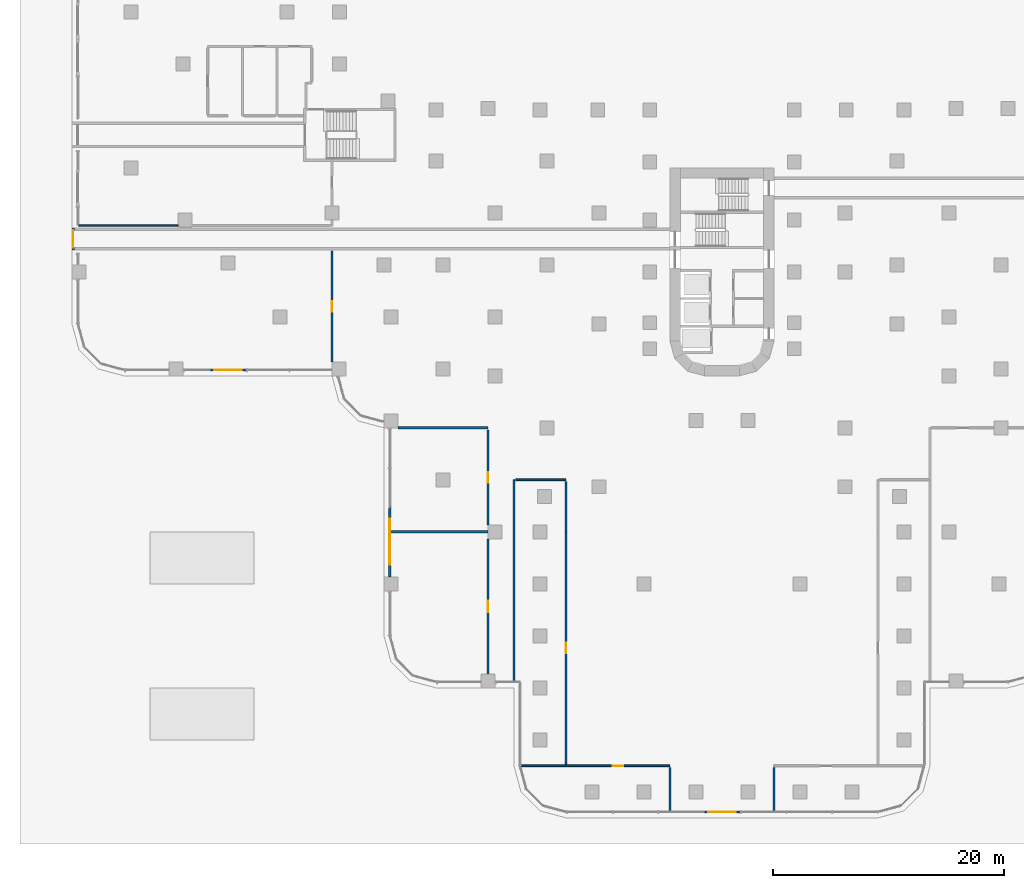
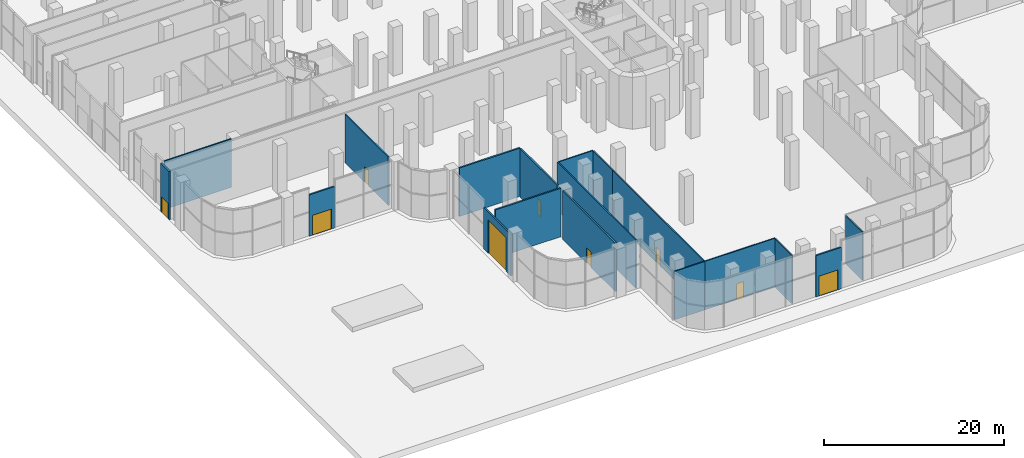
# One storey, part 20 of 34: 18 walls, 9 doors, 9 openings.
"""IFC4 building model written with IfcOpenShell, lengths in metres."""

from ifc_helpers import new_model, si_unit, direction, frame, frame_2d, origin, place, context, subcontext, project, spatial, rectangle, extrude, material, layer, layer_set, type_object, element, fill, save


model = new_model("IFC4")

# Units and contexts
model_context = context("Model", 3, precision=1e-05, world=origin(), true_north=direction((0.0, 1.0)))
body_context = subcontext(model_context, "Body", "Model", "MODEL_VIEW")
ifc_project = project(units=[si_unit("LENGTHUNIT", "METRE"), si_unit("AREAUNIT", "SQUARE_METRE"), si_unit("VOLUMEUNIT", "CUBIC_METRE"), si_unit("PLANEANGLEUNIT", "RADIAN"), si_unit("MASSUNIT", "GRAM", prefix="KILO")], contexts=[model_context])

# Site, building, storey
site_placement = place(None, origin())
site = spatial("IfcSite", under=ifc_project, at=site_placement, CompositionType="ELEMENT")
building_placement = place(site_placement, origin())
building = spatial("IfcBuilding", under=site, at=building_placement, Name="Zarbagh Exchange Tower", CompositionType="ELEMENT")
storey_placement = place(building_placement, origin())
storey = spatial("IfcBuildingStorey", under=building, at=storey_placement, Name="L00", CompositionType="ELEMENT", Elevation=0.0)

# Wall, opening, door
ifc_material_1 = material(Name="Plasterboard partition")
ifc_layer_1 = layer(ifc_material_1, 0.14990234375)
ifc_layer_set_1 = layer_set([ifc_layer_1], Name="Board partition 150")
wall_type_1 = type_object("IfcWallType", Name="Board partition 150", PredefinedType="PARTITIONING", material=ifc_layer_set_1)
wall_1_placement = place(storey_placement, frame((-33.75, -28.050048828125, 0.0), z_axis=(0.0, 0.0, 1.0), x_axis=(0.0, 1.0, 0.0)))
wall_1 = element("IfcWall", 1, at=wall_1_placement, inside=storey, type_object=wall_type_1, Name="WL-L00-W035", PredefinedType="PARTITIONING", context=body_context, shape_type="SweptSolid", body=[
    extrude(rectangle(XDim=9.60009765625, YDim=0.14990234375, at=frame_2d((4.800048828125, 0.0))), origin(), (0.0, 0.0, 1.0), 6.550048828125),
])
opening_1_placement = place(wall_1_placement, frame((4.35009765625, 0.0, 0.0)))
opening_1 = element("IfcOpeningElement", 2, at=opening_1_placement, cuts=wall_1, Name="Opening D15", PredefinedType="OPENING", context=body_context, shape_type="SweptSolid", body=[
    extrude(rectangle(XDim=0.89990234375, YDim=2.10009765625, at=frame_2d((0.449951171875, 1.050048828125))), frame((0.0, 0.0849609375, 0.0), z_axis=(0.0, -1.0, 0.0), x_axis=(1.0, 0.0, 0.0)), (0.0, 0.0, 1.0), 0.169921875),
])
ifc_material_2 = material(Name="Timber door leaf", Category="wood")
door_type_1 = type_object("IfcDoorType", Name="Door single 900x2100", OperationType="SINGLE_SWING_LEFT", PredefinedType="DOOR", material=ifc_material_2)
door_1_placement = place(opening_1_placement, origin())
door_1 = element("IfcDoor", 3, at=door_1_placement, inside=storey, type_object=door_type_1, Name="D15", OperationType="SINGLE_SWING_LEFT", OverallHeight=2.10009765625, OverallWidth=0.89990234375, PredefinedType="DOOR", context=body_context, shape_type="SweptSolid", body=[
    extrude(rectangle(XDim=0.89990234375, YDim=2.10009765625, at=frame_2d((0.449951171875, 1.050048828125))), frame((0.0, 0.02490234375, 0.0), z_axis=(0.0, -1.0, 0.0), x_axis=(1.0, 0.0, 0.0)), (0.0, 0.0, 1.0), 0.050048828125),
])
fill(opening_1, door_1)

# Wall
wall_2_placement = place(storey_placement, frame((-47.070068359375, -16.25, 0.0), z_axis=(0.0, 0.0, 1.0), x_axis=(-1.0, 0.0, 0.0)))
element("IfcWall", 4, at=wall_2_placement, inside=storey, type_object=wall_type_1, Name="WL-L00-W051", PredefinedType="PARTITIONING", context=body_context, shape_type="SweptSolid", body=[
    extrude(rectangle(XDim=8.579833984375, YDim=0.14990234375, at=frame_2d((4.2900390625, 0.0))), origin(), (0.0, 0.0, 1.0), 6.550048828125),
])

# Wall, opening, door
wall_3_placement = place(storey_placement, frame((-4.5, -63.0, 0.0), z_axis=(0.0, 0.0, 1.0), x_axis=(-1.0, 0.0, 0.0)))
wall_3 = element("IfcWall", 5, at=wall_3_placement, inside=storey, type_object=wall_type_1, Name="WL-L00-W056", PredefinedType="PARTITIONING", context=body_context, shape_type="SweptSolid", body=[
    extrude(rectangle(XDim=9.0, YDim=0.14990234375, at=frame_2d((4.5, 0.0))), origin(), (0.0, 0.0, 1.0), 6.550048828125),
])
opening_2_placement = place(wall_3_placement, frame((4.050048828125, 0.0, 0.0)))
opening_2 = element("IfcOpeningElement", 6, at=opening_2_placement, cuts=wall_3, Name="Opening D68", PredefinedType="OPENING", context=body_context, shape_type="SweptSolid", body=[
    extrude(rectangle(XDim=0.89990234375, YDim=2.10009765625, at=frame_2d((0.449951171875, 1.050048828125))), frame((0.0, 0.0849609375, 0.0), z_axis=(0.0, -1.0, 0.0), x_axis=(1.0, 0.0, 0.0)), (0.0, 0.0, 1.0), 0.169921875),
])
door_2_placement = place(opening_2_placement, origin())
door_2 = element("IfcDoor", 7, at=door_2_placement, inside=storey, type_object=door_type_1, Name="D23", OperationType="SINGLE_SWING_LEFT", OverallHeight=2.10009765625, OverallWidth=0.89990234375, PredefinedType="DOOR", context=body_context, shape_type="SweptSolid", body=[
    extrude(rectangle(XDim=0.89990234375, YDim=2.10009765625, at=frame_2d((0.449951171875, 1.050048828125))), frame((0.0, 0.02490234375, 0.0), z_axis=(0.0, -1.0, 0.0), x_axis=(1.0, 0.0, 0.0)), (0.0, 0.0, 1.0), 0.050048828125),
])
fill(opening_2, door_2)

wall_4_placement = place(storey_placement, frame((-13.5, -62.85009765625, 0.0), z_axis=(0.0, 0.0, 1.0), x_axis=(0.0, 1.0, 0.0)))
wall_4 = element("IfcWall", 8, at=wall_4_placement, inside=storey, type_object=wall_type_1, Name="WL-L00-W058", PredefinedType="PARTITIONING", context=body_context, shape_type="SweptSolid", body=[
    extrude(rectangle(XDim=20.10009765625, YDim=0.14990234375, at=frame_2d((10.050048828125, 0.0))), origin(), (0.0, 0.0, 1.0), 6.550048828125),
])
opening_3_placement = place(wall_4_placement, frame((9.60009765625, 0.0, 0.0)))
opening_3 = element("IfcOpeningElement", 9, at=opening_3_placement, cuts=wall_4, Name="Opening D25", PredefinedType="OPENING", context=body_context, shape_type="SweptSolid", body=[
    extrude(rectangle(XDim=0.89990234375, YDim=2.10009765625, at=frame_2d((0.449951171875, 1.050048828125))), frame((0.0, 0.0849609375, 0.0), z_axis=(0.0, -1.0, 0.0), x_axis=(1.0, 0.0, 0.0)), (0.0, 0.0, 1.0), 0.169921875),
])
door_3_placement = place(opening_3_placement, origin())
door_3 = element("IfcDoor", 10, at=door_3_placement, inside=storey, type_object=door_type_1, Name="D25", OperationType="SINGLE_SWING_LEFT", OverallHeight=2.10009765625, OverallWidth=0.89990234375, PredefinedType="DOOR", context=body_context, shape_type="SweptSolid", body=[
    extrude(rectangle(XDim=0.89990234375, YDim=2.10009765625, at=frame_2d((0.449951171875, 1.050048828125))), frame((0.0, 0.02490234375, 0.0), z_axis=(0.0, -1.0, 0.0), x_axis=(1.0, 0.0, 0.0)), (0.0, 0.0, 1.0), 0.050048828125),
])
fill(opening_3, door_3)

# Walls
for number, where, z_axis, x_axis, name in (
    (11, (-4.5, -66.89990234375, 0.0), (0.0, 0.0, 1.0), (0.0, 1.0, 0.0), "WL-L00-W060"),
    (12, (4.5, -63.14990234375, 0.0), (0.0, 0.0, 1.0), (0.0, -1.0, 0.0), "WL-L00-W061"),
):
    element("IfcWall", number, at=place(storey_placement, frame(where, z_axis=z_axis, x_axis=x_axis)), inside=storey, type_object=wall_type_1, Name=name, PredefinedType="PARTITIONING", context=body_context, shape_type="SweptSolid", body=[
        extrude(rectangle(XDim=3.75, YDim=0.14990234375, at=frame_2d((1.875, 0.0))), origin(), (0.0, 0.0, 1.0), 6.550048828125),
    ])
wall_5_placement = place(storey_placement, frame((-17.3798828125, -63.0, 0.0), z_axis=(0.0, 0.0, 1.0), x_axis=(1.0, 0.0, 0.0)))
element("IfcWall", 13, at=wall_5_placement, inside=storey, type_object=wall_type_1, Name="WL-L00-W062", PredefinedType="PARTITIONING", context=body_context, shape_type="SweptSolid", body=[
    extrude(rectangle(XDim=3.8798828125, YDim=0.14990234375, at=frame_2d((1.93994140625, 0.0))), origin(), (0.0, 0.0, 1.0), 6.550048828125),
])
wall_6_placement = place(storey_placement, frame((-18.0, -55.64990234375, 0.0), z_axis=(0.0, 0.0, 1.0), x_axis=(0.0, 1.0, 0.0)))
element("IfcWall", 14, at=wall_6_placement, inside=storey, type_object=wall_type_1, Name="WL-L00-W064", PredefinedType="PARTITIONING", context=body_context, shape_type="SweptSolid", body=[
    extrude(rectangle(XDim=17.39990234375, YDim=0.14990234375, at=frame_2d((8.699951171875, 0.0))), origin(), (0.0, 0.0, 1.0), 6.550048828125),
])
for number, where, z_axis, x_axis, name in (
    (15, (-17.85009765625, -38.25, 0.0), (0.0, 0.0, 1.0), (1.0, 0.0, 0.0), "WL-L00-W065"),
    (16, (-13.5, -38.39990234375, 0.0), (0.0, 0.0, 1.0), (0.0, -1.0, 0.0), "WL-L00-W066"),
):
    element("IfcWall", number, at=place(storey_placement, frame(where, z_axis=z_axis, x_axis=x_axis)), inside=storey, type_object=wall_type_1, Name=name, PredefinedType="PARTITIONING", context=body_context, shape_type="SweptSolid", body=[
        extrude(rectangle(XDim=4.35009765625, YDim=0.14990234375, at=frame_2d((2.175048828125, 0.0))), origin(), (0.0, 0.0, 1.0), 6.550048828125),
    ])
ifc_material_3 = material(Name="Concrete block partition", Category="concrete")
ifc_layer_2 = layer(ifc_material_3, 0.199951171875)
ifc_layer_set_2 = layer_set([ifc_layer_2], Name="Fire-rated block partition 200 EI 60")
wall_type_2 = type_object("IfcWallType", Name="Fire-rated block partition 200 EI 60", PredefinedType="PARTITIONING", material=ifc_layer_set_2)
wall_7_placement = place(storey_placement, frame((-28.64990234375, -42.75, 0.0), z_axis=(0.0, 0.0, 1.0), x_axis=(1.0, 0.0, 0.0)))
element("IfcWall", 17, at=wall_7_placement, inside=storey, type_object=wall_type_2, Name="WL-L00-W052", PredefinedType="PARTITIONING", context=body_context, shape_type="SweptSolid", body=[
    extrude(rectangle(XDim=8.39990234375, YDim=0.199951171875, at=frame_2d((4.199951171875, 0.0))), origin(), (0.0, 0.0, 1.0), 6.550048828125),
])

# Wall, opening, door
wall_8_placement = place(storey_placement, frame((-20.25, -55.050048828125, 0.0), z_axis=(0.0, 0.0, 1.0), x_axis=(0.0, 1.0, 0.0)))
wall_8 = element("IfcWall", 18, at=wall_8_placement, inside=storey, type_object=wall_type_2, Name="WL-L00-W053", PredefinedType="PARTITIONING", context=body_context, shape_type="SweptSolid", body=[
    extrude(rectangle(XDim=11.699951171875, YDim=0.199951171875, at=frame_2d((5.85009765625, 0.0))), origin(), (0.0, 0.0, 1.0), 6.550048828125),
])
opening_4_placement = place(wall_8_placement, frame((5.35009765625, 0.0, 0.0)))
opening_4 = element("IfcOpeningElement", 19, at=opening_4_placement, cuts=wall_8, Name="Opening D65", PredefinedType="OPENING", context=body_context, shape_type="SweptSolid", body=[
    extrude(rectangle(XDim=1.0, YDim=2.10009765625, at=frame_2d((0.5, 1.050048828125))), frame((0.0, 0.10986328125, 0.0), z_axis=(0.0, -1.0, 0.0), x_axis=(1.0, 0.0, 0.0)), (0.0, 0.0, 1.0), 0.219970703125),
])
ifc_material_4 = material(Name="Steel door set", Category="steel")
door_type_2 = type_object("IfcDoorType", Name="Door single 1000x2100 EI 60", OperationType="SINGLE_SWING_LEFT", PredefinedType="DOOR", material=ifc_material_4)
door_4_placement = place(opening_4_placement, origin())
door_4 = element("IfcDoor", 20, at=door_4_placement, inside=storey, type_object=door_type_2, Name="D21", OperationType="SINGLE_SWING_LEFT", OverallHeight=2.10009765625, OverallWidth=1.0, PredefinedType="DOOR", context=body_context, shape_type="SweptSolid", body=[
    extrude(rectangle(XDim=1.0, YDim=2.10009765625, at=frame_2d((0.5, 1.050048828125))), frame((0.0, 0.02490234375, 0.0), z_axis=(0.0, -1.0, 0.0), x_axis=(1.0, 0.0, 0.0)), (0.0, 0.0, 1.0), 0.050048828125),
])
fill(opening_4, door_4)

# Wall
wall_9_placement = place(storey_placement, frame((-28.050048828125, -33.75, 0.0), z_axis=(0.0, 0.0, 1.0), x_axis=(1.0, 0.0, 0.0)))
element("IfcWall", 21, at=wall_9_placement, inside=storey, type_object=wall_type_2, Name="WL-L00-W054", PredefinedType="PARTITIONING", context=body_context, shape_type="SweptSolid", body=[
    extrude(rectangle(XDim=7.800048828125, YDim=0.199951171875, at=frame_2d((3.89990234375, 0.0))), origin(), (0.0, 0.0, 1.0), 6.550048828125),
])

# Wall, opening, door
wall_10_placement = place(storey_placement, frame((-20.25, -42.14990234375, 0.0), z_axis=(0.0, 0.0, 1.0), x_axis=(0.0, 1.0, 0.0)))
wall_10 = element("IfcWall", 22, at=wall_10_placement, inside=storey, type_object=wall_type_2, Name="WL-L00-W055", PredefinedType="PARTITIONING", context=body_context, shape_type="SweptSolid", body=[
    extrude(rectangle(XDim=8.199951171875, YDim=0.199951171875, at=frame_2d((4.10009765625, 0.0))), origin(), (0.0, 0.0, 1.0), 6.550048828125),
])
opening_5_placement = place(wall_10_placement, frame((3.64990234375, 0.0, 0.0)))
opening_5 = element("IfcOpeningElement", 23, at=opening_5_placement, cuts=wall_10, Name="Opening D67", PredefinedType="OPENING", context=body_context, shape_type="SweptSolid", body=[
    extrude(rectangle(XDim=0.89990234375, YDim=2.10009765625, at=frame_2d((0.449951171875, 1.050048828125))), frame((0.0, 0.10986328125, 0.0), z_axis=(0.0, -1.0, 0.0), x_axis=(1.0, 0.0, 0.0)), (0.0, 0.0, 1.0), 0.219970703125),
])
door_type_3 = type_object("IfcDoorType", Name="Door single 900x2100 EI 60", OperationType="SINGLE_SWING_LEFT", PredefinedType="DOOR", material=ifc_material_4)
door_5_placement = place(opening_5_placement, origin())
door_5 = element("IfcDoor", 24, at=door_5_placement, inside=storey, type_object=door_type_3, Name="D22", OperationType="SINGLE_SWING_LEFT", OverallHeight=2.10009765625, OverallWidth=0.89990234375, PredefinedType="DOOR", context=body_context, shape_type="SweptSolid", body=[
    extrude(rectangle(XDim=0.89990234375, YDim=2.10009765625, at=frame_2d((0.449951171875, 1.050048828125))), frame((0.0, 0.02490234375, 0.0), z_axis=(0.0, -1.0, 0.0), x_axis=(1.0, 0.0, 0.0)), (0.0, 0.0, 1.0), 0.050048828125),
])
fill(opening_5, door_5)

ifc_material_5 = material(Name="Dense blockwork", Category="masonry")
ifc_layer_3 = layer(ifc_material_5, 0.199951171875)
ifc_layer_set_3 = layer_set([ifc_layer_3], Name="Shaft wall 200 mm blockwork")
wall_type_3 = type_object("IfcWallType", Name="Shaft wall 200 mm blockwork", PredefinedType="PARTITIONING", material=ifc_layer_set_3)
wall_11_placement = place(storey_placement, frame((-56.14990234375, -18.35009765625, 0.0), z_axis=(0.0, 0.0, 1.0), x_axis=(0.0, 1.0, 0.0)))
wall_11 = element("IfcWall", 25, at=wall_11_placement, inside=storey, type_object=wall_type_3, Name="Exit passage ST3 wall E", PredefinedType="PARTITIONING", context=body_context, shape_type="SweptSolid", body=[
    extrude(rectangle(XDim=1.900146484375, YDim=0.199951171875, at=frame_2d((0.9501953125, 0.0))), origin(), (0.0, 0.0, 1.0), 6.550048828125),
])
opening_6_placement = place(wall_11_placement, frame((0.199951171875, 0.0, 0.0)))
opening_6 = element("IfcOpeningElement", 26, at=opening_6_placement, cuts=wall_11, Name="Opening XD1-1500", PredefinedType="OPENING", context=body_context, shape_type="SweptSolid", body=[
    extrude(rectangle(XDim=1.5, YDim=2.10009765625, at=frame_2d((0.75, 1.050048828125))), frame((0.0, 0.10986328125, 0.0), z_axis=(0.0, -1.0, 0.0), x_axis=(1.0, 0.0, 0.0)), (0.0, 0.0, 1.0), 0.219970703125),
])
ifc_material_6 = material(Name="Steel", Category="steel")
door_type_4 = type_object("IfcDoorType", Name="Exit passage double door 1500 x 2100", OperationType="NOTDEFINED", PredefinedType="DOOR", material=ifc_material_6)
door_6_placement = place(opening_6_placement, origin())
door_6 = element("IfcDoor", 27, at=door_6_placement, inside=storey, type_object=door_type_4, Name="Exit passage ST3 door", OperationType="DOUBLE_DOOR_DOUBLE_SWING", OverallHeight=2.10009765625, OverallWidth=1.5, PredefinedType="DOOR", context=body_context, shape_type="SweptSolid", body=[
    extrude(rectangle(XDim=1.5, YDim=2.10009765625, at=frame_2d((0.75, 1.050048828125))), frame((0.0, 0.02490234375, 0.0), z_axis=(0.0, -1.0, 0.0), x_axis=(1.0, 0.0, 0.0)), (0.0, 0.0, 1.0), 0.050048828125),
])
fill(opening_6, door_6)

ifc_material_7 = material(Name="Precast concrete C50/60", Category="concrete")
ifc_layer_4 = layer(ifc_material_7, 0.199951171875)
ifc_layer_set_4 = layer_set([ifc_layer_4], Name="Terrace door wall, precast concrete C50/60")
wall_type_4 = type_object("IfcWallType", Name="Terrace door wall, precast concrete C50/60", PredefinedType="SOLIDWALL", material=ifc_layer_set_4)
wall_12_placement = place(storey_placement, frame((-41.110107421875, -28.75, 0.0), z_axis=(0.0, 0.0, 1.0), x_axis=(-1.0, 0.0, 0.0)))
wall_12 = element("IfcWall", 28, at=wall_12_placement, inside=storey, type_object=wall_type_4, Name="EW01 exterior wall", PredefinedType="SOLIDWALL", context=body_context, shape_type="SweptSolid", body=[
    extrude(rectangle(XDim=3.27978515625, YDim=0.199951171875, at=frame_2d((1.639892578125, 0.0))), origin(), (0.0, 0.0, 1.0), 5.60009765625),
])
opening_7_placement = place(wall_12_placement, frame((0.43994140625, 0.0, 0.0)))
opening_7 = element("IfcOpeningElement", 29, at=opening_7_placement, cuts=wall_12, Name="Opening ED01", PredefinedType="OPENING", context=body_context, shape_type="SweptSolid", body=[
    extrude(rectangle(XDim=2.39990234375, YDim=2.699951171875, at=frame_2d((1.199951171875, 1.35009765625))), frame((0.0, 0.10986328125, 0.0), z_axis=(0.0, -1.0, 0.0), x_axis=(1.0, 0.0, 0.0)), (0.0, 0.0, 1.0), 0.219970703125),
])
ifc_material_8 = material(Name="Anodised aluminium and glass", Category="aluminium")
door_type_5 = type_object("IfcDoorType", Name="Entrance door, double leaf, glazed aluminium", OperationType="DOUBLE_DOOR_DOUBLE_SWING", PredefinedType="DOOR", material=ifc_material_8)
door_7_placement = place(opening_7_placement, origin())
door_7 = element("IfcDoor", 30, at=door_7_placement, inside=storey, type_object=door_type_5, Name="ED01 exterior door", OperationType="SINGLE_SWING_LEFT", OverallHeight=2.699951171875, OverallWidth=2.39990234375, PredefinedType="DOOR", context=body_context, shape_type="SweptSolid", body=[
    extrude(rectangle(XDim=2.39990234375, YDim=2.699951171875, at=frame_2d((1.199951171875, 1.35009765625))), frame((0.0, 0.02490234375, 0.0), z_axis=(0.0, -1.0, 0.0), x_axis=(1.0, 0.0, 0.0)), (0.0, 0.0, 1.0), 0.050048828125),
])
fill(opening_7, door_7)

wall_13_placement = place(storey_placement, frame((-28.75, -46.650146484375, 0.0), z_axis=(0.0, 0.0, 1.0), x_axis=(0.0, 1.0, 0.0)))
wall_13 = element("IfcWall", 31, at=wall_13_placement, inside=storey, type_object=wall_type_4, Name="LW01 exterior wall", PredefinedType="SOLIDWALL", context=body_context, shape_type="SweptSolid", body=[
    extrude(rectangle(XDim=6.080078125, YDim=0.199951171875, at=frame_2d((3.0400390625, 0.0))), origin(), (0.0, 0.0, 1.0), 5.60009765625),
])
opening_8_placement = place(wall_13_placement, frame((1.0400390625, 0.0, 0.0)))
opening_8 = element("IfcOpeningElement", 32, at=opening_8_placement, cuts=wall_13, Name="Opening LD01", PredefinedType="OPENING", context=body_context, shape_type="SweptSolid", body=[
    extrude(rectangle(XDim=4.0, YDim=4.5, at=frame_2d((2.0, 2.25))), frame((0.0, 0.10986328125, 0.0), z_axis=(0.0, -1.0, 0.0), x_axis=(1.0, 0.0, 0.0)), (0.0, 0.0, 1.0), 0.219970703125),
])
ifc_material_9 = material(Name="Galvanised steel", Category="steel")
door_type_6 = type_object("IfcDoorType", Name="Loading dock door, insulated overhead", OperationType="ROLLINGUP", PredefinedType="DOOR", material=ifc_material_9)
door_8_placement = place(opening_8_placement, origin())
door_8 = element("IfcDoor", 33, at=door_8_placement, inside=storey, type_object=door_type_6, Name="LD01 exterior door", OperationType="SINGLE_SWING_LEFT", OverallHeight=4.5, OverallWidth=4.0, PredefinedType="DOOR", context=body_context, shape_type="SweptSolid", body=[
    extrude(rectangle(XDim=4.0, YDim=4.5, at=frame_2d((2.0, 2.25))), frame((0.0, 0.02490234375, 0.0), z_axis=(0.0, -1.0, 0.0), x_axis=(1.0, 0.0, 0.0)), (0.0, 0.0, 1.0), 0.050048828125),
])
fill(opening_8, door_8)

wall_14_placement = place(storey_placement, frame((1.639892578125, -67.0, 0.0), z_axis=(0.0, 0.0, 1.0), x_axis=(-1.0, 0.0, 0.0)))
wall_14 = element("IfcWall", 34, at=wall_14_placement, inside=storey, type_object=wall_type_4, Name="EW01 exterior wall", PredefinedType="SOLIDWALL", context=body_context, shape_type="SweptSolid", body=[
    extrude(rectangle(XDim=3.27978515625, YDim=0.199951171875, at=frame_2d((1.639892578125, 0.0))), origin(), (0.0, 0.0, 1.0), 5.60009765625),
])
opening_9_placement = place(wall_14_placement, frame((0.43994140625, 0.0, 0.0)))
opening_9 = element("IfcOpeningElement", 35, at=opening_9_placement, cuts=wall_14, Name="Opening ED01", PredefinedType="OPENING", context=body_context, shape_type="SweptSolid", body=[
    extrude(rectangle(XDim=2.39990234375, YDim=2.699951171875, at=frame_2d((1.199951171875, 1.35009765625))), frame((0.0, 0.10986328125, 0.0), z_axis=(0.0, -1.0, 0.0), x_axis=(1.0, 0.0, 0.0)), (0.0, 0.0, 1.0), 0.219970703125),
])
door_9_placement = place(opening_9_placement, origin())
door_9 = element("IfcDoor", 36, at=door_9_placement, inside=storey, type_object=door_type_5, Name="ED01 exterior door", OperationType="SINGLE_SWING_LEFT", OverallHeight=2.699951171875, OverallWidth=2.39990234375, PredefinedType="DOOR", context=body_context, shape_type="SweptSolid", body=[
    extrude(rectangle(XDim=2.39990234375, YDim=2.699951171875, at=frame_2d((1.199951171875, 1.35009765625))), frame((0.0, 0.02490234375, 0.0), z_axis=(0.0, -1.0, 0.0), x_axis=(1.0, 0.0, 0.0)), (0.0, 0.0, 1.0), 0.050048828125),
])
fill(opening_9, door_9)

save(model, "model.ifc")
